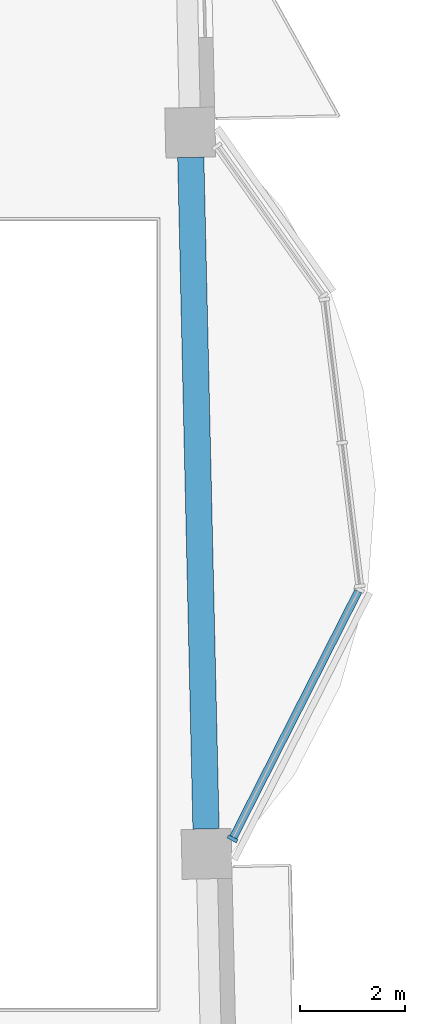
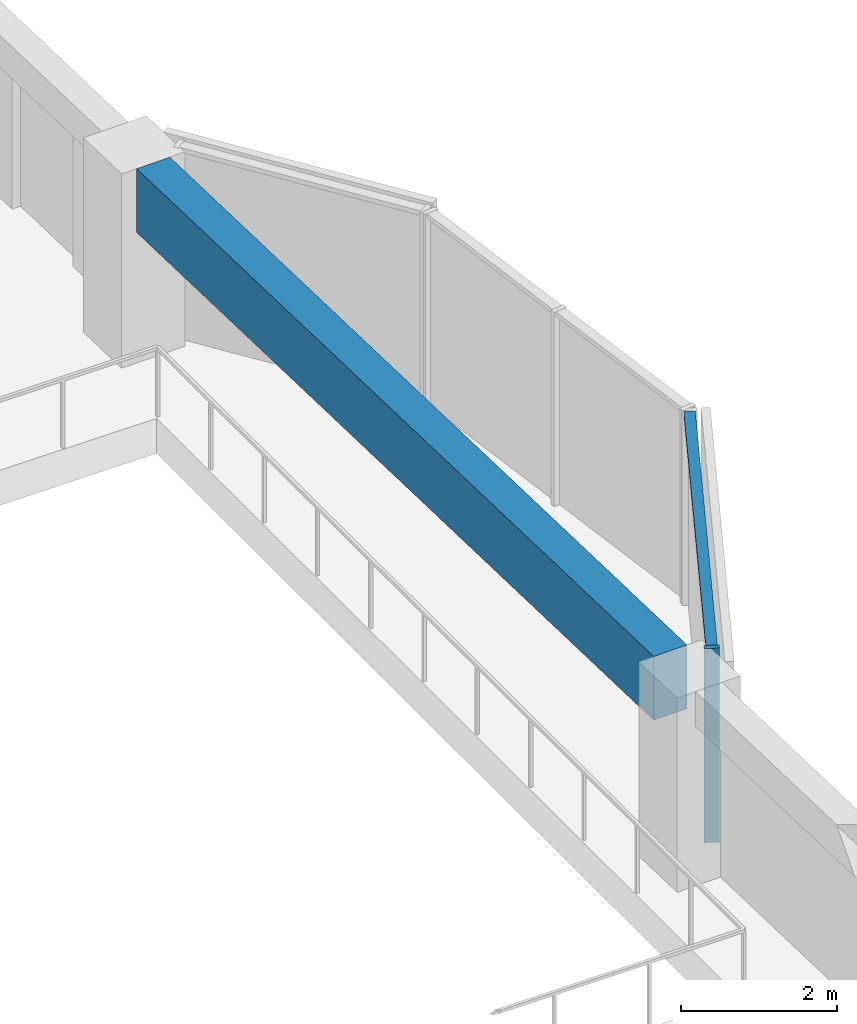
# One storey, part 2 of 19: 2 members, 1 beam, 1 element without a shape of its own.
"""IFC4 building model written with IfcOpenShell, lengths in metres."""

from ifc_helpers import new_model, si_unit, direction, frame, origin, origin_2d, place, context, subcontext, project, spatial, rectangle, extrude, material, material_profile, profile_set, type_object, element, aggregate, save


model = new_model("IFC4")

# Units and contexts
model_context = context("Model", 3, precision=1e-05, world=origin(), true_north=direction((0.0, 1.0)))
body_context = subcontext(model_context, "Body", "Model", "MODEL_VIEW")
ifc_project = project(units=[si_unit("LENGTHUNIT", "METRE"), si_unit("AREAUNIT", "SQUARE_METRE"), si_unit("VOLUMEUNIT", "CUBIC_METRE"), si_unit("PLANEANGLEUNIT", "RADIAN"), si_unit("MASSUNIT", "GRAM", prefix="KILO")], contexts=[model_context])

# Site, building, storey
site_placement = place(None, origin())
site = spatial("IfcSite", under=ifc_project, at=site_placement, CompositionType="ELEMENT")
building_placement = place(site_placement, origin())
building = spatial("IfcBuilding", under=site, at=building_placement, Name="Mangrove Gate Tower", CompositionType="ELEMENT")
storey_placement = place(building_placement, frame((0.0, 0.0, 297.89990234375)))
storey = spatial("IfcBuildingStorey", under=building, at=storey_placement, Name="L76", CompositionType="ELEMENT", Elevation=297.89990234375)

# Curtain wall, members
ifc_material_1 = material(Name="Aluminium and glass curtain wall", Category="aluminium")
curtain_wall_type = type_object("IfcCurtainWallType", Name="Atrium garden-court glazing wall", PredefinedType="NOTDEFINED", material=ifc_material_1)
curtain_wall_placement = place(storey_placement, origin())
curtain_wall = element("IfcCurtainWall", 1, at=curtain_wall_placement, inside=storey, type_object=curtain_wall_type, Name="Atrium garden-court glazing E1f1", PredefinedType="NOTDEFINED")
ifc_material_2 = material(Name="Aluminium alloy 6063-T6", Category="aluminium")
ifc_material_profile_1 = material_profile(ifc_material_2, rectangle(XDim=0.070068359375, YDim=0.199951171875, at=origin_2d()))
ifc_profile_set_1 = profile_set([ifc_material_profile_1], Name="Aluminium alloy 6063-T6")
member_type_1 = type_object("IfcMemberType", Name="Atrium garden-court glazing mullion 70x200", PredefinedType="MULLION", material=ifc_profile_set_1)
member_1_placement = place(storey_placement, frame((31.336181640625, -4.276611328125, 0.0), z_axis=(0.0, 0.0, 1.0), x_axis=(0.452617386511, 0.891704828644, 0.0)))
member_1 = element("IfcMember", 2, at=member_1_placement, type_object=member_type_1, Name="CWA mullion 1", PredefinedType="MULLION", context=body_context, shape_type="SweptSolid", body=[
    extrude(rectangle(XDim=0.070068359375, YDim=0.199951171875, at=origin_2d()), origin(), (0.0, 0.0, 1.0), 3.050048828125),
])
ifc_material_3 = material(Name="Aluminium alloy 6063-T6", Category="aluminium")
ifc_material_profile_2 = material_profile(ifc_material_3, rectangle(XDim=0.070068359375, YDim=0.14990234375, at=origin_2d()))
ifc_profile_set_2 = profile_set([ifc_material_profile_2], Name="Aluminium alloy 6063-T6")
member_type_2 = type_object("IfcMemberType", Name="Atrium garden-court glazing transom 70x150", PredefinedType="USERDEFINED", material=ifc_profile_set_2)
member_2_placement = place(storey_placement, frame((31.35205078125, -4.245361328125, 3.01513671875), z_axis=(0.452628185689, 0.891699347045, 0.0), x_axis=(0.0, 0.0, 1.0)))
member_2 = element("IfcMember", 3, at=member_2_placement, type_object=member_type_2, Name="CWA transom 1.2", ObjectType="TRANSOM", PredefinedType="USERDEFINED", context=body_context, shape_type="SweptSolid", body=[
    extrude(rectangle(XDim=0.070068359375, YDim=0.14990234375, at=origin_2d()), origin(), (0.0, 0.0, 1.0), 5.258544921875),
])
aggregate(curtain_wall, [member_1, member_2])

# Beam
ifc_material_4 = material(Name="Concrete C50/60", Category="concrete")
ifc_material_profile_3 = material_profile(ifc_material_4, rectangle(XDim=0.5, YDim=1.0, at=origin_2d()))
ifc_profile_set_3 = profile_set([ifc_material_profile_3], Name="Concrete C50/60")
beam_type = type_object("IfcBeamType", Name="Edge beam RC 500x1000 C50/60", PredefinedType="BEAM", material=ifc_profile_set_3)
beam_placement = place(storey_placement, frame((30.830322265625, -4.0888671875, 2.550048828125), z_axis=(-0.022696710072, 0.999742396496, 0.0), x_axis=(-0.999742396496, -0.022696710072, 0.0)))
element("IfcBeam", 4, at=beam_placement, inside=storey, type_object=beam_type, Name="Edge beam L76 16", PredefinedType="BEAM", context=body_context, shape_type="SweptSolid", body=[
    extrude(rectangle(XDim=0.5, YDim=1.0, at=origin_2d()), origin(), (0.0, 0.0, 1.0), 12.800537109375),
])

save(model, "model.ifc")
